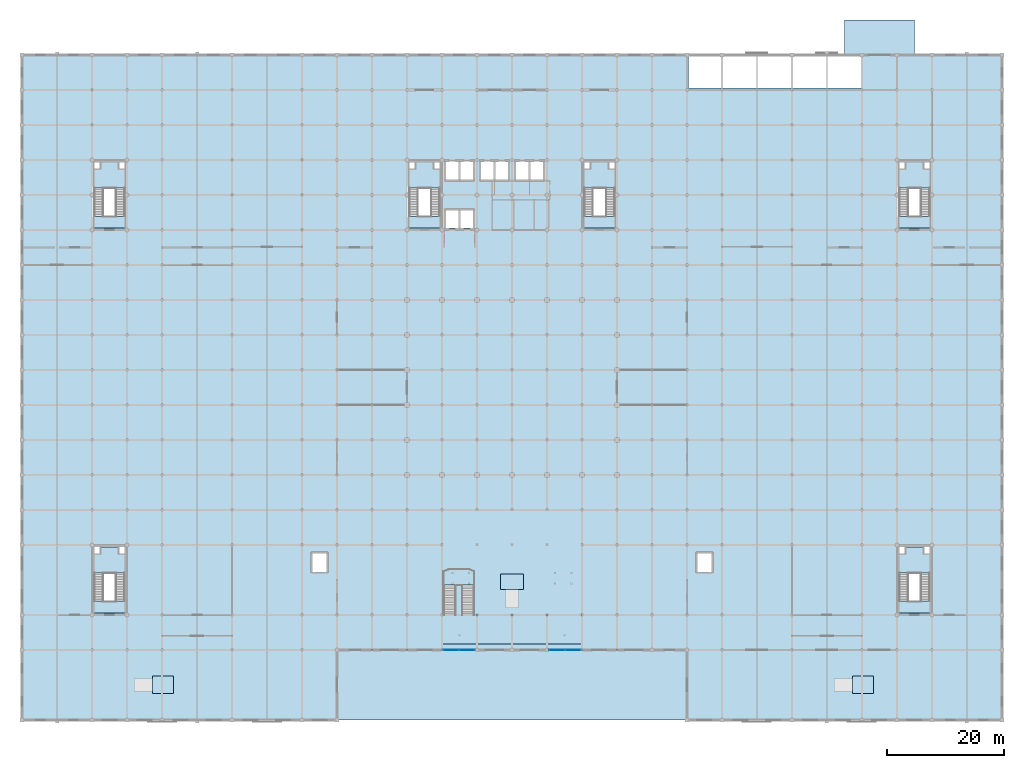
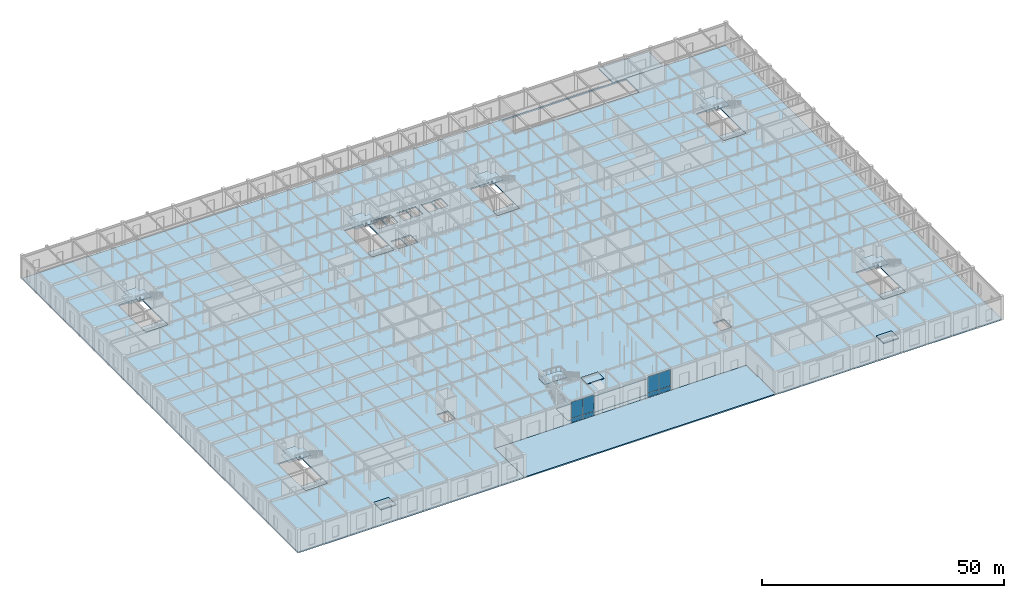
# One storey, part 39 of 51: 20 slabs, 8 plates, 9 elements without a shape of their own.
"""IFC4 building model written with IfcOpenShell, lengths in metres."""

import ifcopenshell
import ifcopenshell.guid

model = None  # the IFC model being written
_history = None  # IfcOwnerHistory: only IFC2X3 demands one
_inside = {}  # id of a spatial element -> (the spatial element, [elements in it])
_under = {}  # id of a project, library or spatial element -> (it, [spatial elements below it])
_declared = {}  # id of a project -> (the project, [libraries it declares])
_typed = {}  # id of a type object -> (the type object, [elements of that type])
_made_of = {}  # id of a material, layer set ... -> (it, [elements and type objects made of it])


def new_model(schema):
    """Start an empty IFC model of exactly this schema.

    Asked for "IFC4X3", IfcOpenShell would pick the latest addendum, in which some entities
    have other attributes; the version numbers below select the first issue.
    IFC2X3 requires an IfcOwnerHistory on every rooted entity: one is made here for all.
    """
    global model, _history
    if schema == "IFC4X3":
        model = ifcopenshell.file(schema_version=(4, 3, 0, 0))
    else:
        model = ifcopenshell.file(schema=schema)
    _inside.clear()
    _under.clear()
    _declared.clear()
    _typed.clear()
    _made_of.clear()
    _history = None
    if model.schema == "IFC2X3":
        org = make("IfcOrganization", Name="unknown")
        user = make(
            "IfcPersonAndOrganization",
            ThePerson=make("IfcPerson", FamilyName="unknown"),
            TheOrganization=org,
        )
        app = make(
            "IfcApplication",
            ApplicationDeveloper=org,
            Version="unknown",
            ApplicationFullName="unknown",
            ApplicationIdentifier="unknown",
        )
        _history = make(
            "IfcOwnerHistory",
            OwningUser=user,
            OwningApplication=app,
            ChangeAction="ADDED",
            CreationDate=0,
        )
    return model


def make(cls, **values):
    """One entity of the class cls with the attributes given. An attribute that is None is left unset."""
    return model.create_entity(
        cls, **{name: value for name, value in values.items() if value is not None}
    )


def rooted(cls, **values):
    """An entity with a GlobalId (a new one), such as an element, a storey or a relation."""
    return make(cls, GlobalId=ifcopenshell.guid.new(), OwnerHistory=_history, **values)


def si_unit(unit_type, name, prefix=None):
    """IfcSIUnit, for example si_unit("LENGTHUNIT", "METRE", prefix="MILLI")."""
    return make("IfcSIUnit", UnitType=unit_type, Prefix=prefix, Name=name)


def assignment(units):
    """IfcUnitAssignment: the units of a project."""
    return None if units is None else make("IfcUnitAssignment", Units=units)


def point(xyz):
    """IfcCartesianPoint."""
    return None if xyz is None else make("IfcCartesianPoint", Coordinates=xyz)


def direction(xyz):
    """IfcDirection."""
    return None if xyz is None else make("IfcDirection", DirectionRatios=xyz)


def frame(location, z_axis=None, x_axis=None):
    """IfcAxis2Placement3D, a coordinate frame: its origin and axes. An axis left out is left unset."""
    return make(
        "IfcAxis2Placement3D",
        Location=point(location),
        Axis=direction(z_axis),
        RefDirection=direction(x_axis),
    )


def frame_2d(location, x_axis=None):
    """IfcAxis2Placement2D, a coordinate frame in the plane: its origin and x axis."""
    return make(
        "IfcAxis2Placement2D", Location=point(location), RefDirection=direction(x_axis)
    )


def origin():
    """The frame at (0, 0, 0) with its axes left unset."""
    return frame((0.0, 0.0, 0.0))


def origin_2d():
    """The frame at (0, 0) in the plane with its x axis left unset."""
    return frame_2d((0.0, 0.0))


def place(relative_to, where):
    """IfcLocalPlacement: puts the frame where relative to a parent placement (None: the world)."""
    return make(
        "IfcLocalPlacement", PlacementRelTo=relative_to, RelativePlacement=where
    )


def context(
    kind, dimensions, precision=None, world=None, true_north=None, identifier=None
):
    """IfcGeometricRepresentationContext, for example the 3D "Model" context."""
    return make(
        "IfcGeometricRepresentationContext",
        ContextIdentifier=identifier,
        ContextType=kind,
        CoordinateSpaceDimension=dimensions,
        Precision=precision,
        WorldCoordinateSystem=world,
        TrueNorth=true_north,
    )


def subcontext(parent, identifier, kind, view, scale=None):
    """IfcGeometricRepresentationSubContext, for example "Body" below "Model"."""
    return make(
        "IfcGeometricRepresentationSubContext",
        ContextIdentifier=identifier,
        ContextType=kind,
        ParentContext=parent,
        TargetScale=scale,
        TargetView=view,
    )


def project(units=None, contexts=None):
    """IfcProject with its units and contexts."""
    return rooted(
        "IfcProject",
        Name="project",
        RepresentationContexts=contexts,
        UnitsInContext=assignment(units),
    )


def spatial(cls, under=None, at=None, **own):
    """A site, building, storey or space (cls), placed at a placement, below another one or the project."""
    s = rooted(cls, ObjectPlacement=at, **own)
    if under is not None:
        _under.setdefault(under.id(), (under, []))[1].append(s)
    return s


def polyline(points):
    """IfcPolyline through the points."""
    return make("IfcPolyline", Points=[point(p) for p in points])


def profile(cls, at=None, kind="AREA", **sizes):
    """A parametric profile (cls). Its sizes go by their IFC names, for example OverallWidth=200.0."""
    return make(cls, ProfileType=kind, Position=at, **sizes)


def rectangle(**sizes):
    """IfcRectangleProfileDef."""
    return profile("IfcRectangleProfileDef", **sizes)


def outline(outer, holes=None, kind="AREA"):
    """IfcArbitraryClosedProfileDef: a profile drawn as a closed curve; with holes, ...WithVoids."""
    if holes is None:
        return make("IfcArbitraryClosedProfileDef", ProfileType=kind, OuterCurve=outer)
    return make(
        "IfcArbitraryProfileDefWithVoids",
        ProfileType=kind,
        OuterCurve=outer,
        InnerCurves=holes,
    )


def extrude(swept, where, along, depth):
    """IfcExtrudedAreaSolid: the profile swept, set in the frame where, extruded along a direction by depth."""
    return make(
        "IfcExtrudedAreaSolid",
        SweptArea=swept,
        Position=where,
        ExtrudedDirection=direction(along),
        Depth=depth,
    )


def shape(context_of_items, identifier, shape_type, items):
    """IfcShapeRepresentation: the items that make up one representation, for example the "Body"."""
    return make(
        "IfcShapeRepresentation",
        ContextOfItems=context_of_items,
        RepresentationIdentifier=identifier,
        RepresentationType=shape_type,
        Items=items,
    )


def material(Name=None, Category=None):
    """IfcMaterial."""
    return make("IfcMaterial", Name=Name, Category=Category)


def layer(
    of_material, thickness, ventilated=None, Name=None, Category=None, Priority=None
):
    """IfcMaterialLayer: one layer of a wall or slab, of a material (None: an air gap)."""
    return make(
        "IfcMaterialLayer",
        Material=of_material,
        LayerThickness=thickness,
        IsVentilated=ventilated,
        Name=Name,
        Category=Category,
        Priority=Priority,
    )


def layer_set(layers, Name=None):
    """IfcMaterialLayerSet."""
    return make("IfcMaterialLayerSet", MaterialLayers=layers, LayerSetName=Name)


def made_of(thing, what):
    """Note that an element or type object is made of a material, layer set ...; save() writes the relation."""
    if what is not None:
        _made_of.setdefault(what.id(), (what, []))[1].append(thing)
    return thing


def type_object(cls, material=None, **own):
    """A type object (cls), such as IfcWallType, which elements share."""
    return made_of(rooted(cls, **own), material)


def element(
    cls,
    number,
    at=None,
    inside=None,
    cuts=None,
    type_object=None,
    material=None,
    context=None,
    identifier="Body",
    shape_type=None,
    held_by="IfcProductDefinitionShape",
    body=None,
    shapes=None,
    **own,
):
    """One element of the class cls, such as IfcWall. Its Tag is "e" and its number.

    at: its placement. inside: the storey or other place that contains it. cuts: it is an
    opening in that element (IfcRelVoidsElement). A single representation is given by context,
    identifier, shape_type and body (its items); several are given by shapes. held_by: the class
    of the entity that holds the representations. save() writes the other relations.
    """
    e = rooted(cls, Tag="e%d" % number, ObjectPlacement=at, **own)
    if body is not None:
        shapes = [shape(context, identifier, shape_type, body)]
    if shapes is not None:
        e.Representation = make(held_by, Representations=shapes)
    if inside is not None:
        _inside.setdefault(inside.id(), (inside, []))[1].append(e)
    if cuts is not None:
        rooted(
            "IfcRelVoidsElement", RelatingBuildingElement=cuts, RelatedOpeningElement=e
        )
    if type_object is not None:
        _typed.setdefault(type_object.id(), (type_object, []))[1].append(e)
    return made_of(e, material)


def aggregate(whole, parts):
    """IfcRelAggregates: a whole, such as a stair, and the parts it consists of."""
    return rooted("IfcRelAggregates", RelatingObject=whole, RelatedObjects=parts)


def save(model, path):
    """Write the relations noted so far, then the file.

    IfcRelAggregates (storeys below a building ...), IfcRelContainedInSpatialStructure (elements
    in a storey), IfcRelDefinesByType, IfcRelAssociatesMaterial and IfcRelDeclares: one each for
    every whole, place, type object, material and project.
    """
    for whole, parts in _under.values():
        aggregate(whole, parts)
    for where, things in _inside.values():
        rooted(
            "IfcRelContainedInSpatialStructure",
            RelatedElements=things,
            RelatingStructure=where,
        )
    for kind, things in _typed.values():
        rooted("IfcRelDefinesByType", RelatedObjects=things, RelatingType=kind)
    for what, things in _made_of.values():
        rooted("IfcRelAssociatesMaterial", RelatedObjects=things, RelatingMaterial=what)
    for by, libraries in _declared.values():
        rooted("IfcRelDeclares", RelatingContext=by, RelatedDefinitions=libraries)
    model.write(path)


model = new_model("IFC4")

# Units and contexts
model_context = context("Model", 3, precision=1e-05, world=origin(), true_north=direction((0.0, 1.0)))
body_context = subcontext(model_context, "Body", "Model", "MODEL_VIEW")
ifc_project = project(units=[si_unit("LENGTHUNIT", "METRE"), si_unit("AREAUNIT", "SQUARE_METRE"), si_unit("VOLUMEUNIT", "CUBIC_METRE"), si_unit("PLANEANGLEUNIT", "RADIAN"), si_unit("MASSUNIT", "GRAM", prefix="KILO")], contexts=[model_context])

# Site, building, storey
site_placement = place(None, origin())
site = spatial("IfcSite", under=ifc_project, at=site_placement, CompositionType="ELEMENT")
building_placement = place(site_placement, origin())
building = spatial("IfcBuilding", under=site, at=building_placement, Name="Zlatovratsky Civic Hall", CompositionType="ELEMENT")
storey_placement = place(building_placement, origin())
storey = spatial("IfcBuildingStorey", under=building, at=storey_placement, Name="L01", CompositionType="ELEMENT", Elevation=0.0)

# Curtain wall, plates
ifc_material_1 = material(Name="Anodised bronze aluminium", Category="aluminium")
ifc_layer_1 = layer(ifc_material_1, 0.159912109375)
ifc_layer_set_1 = layer_set([ifc_layer_1], Name="Anodised bronze aluminium")
curtain_wall_type = type_object("IfcCurtainWallType", Name="CurtainWall_Bronze_5510x5310_01", PredefinedType="NOTDEFINED", material=ifc_layer_set_1)
curtain_wall_1_placement = place(storey_placement, origin())
curtain_wall_1 = element("IfcCurtainWall", 1, at=curtain_wall_1_placement, inside=storey, type_object=curtain_wall_type, Name="CW-001", PredefinedType="NOTDEFINED")
ifc_material_2 = material(Name="Solar-control triple glazing", Category="glass")
ifc_layer_2 = layer(ifc_material_2, 0.028076171875)
ifc_layer_set_2 = layer_set([ifc_layer_2], Name="Solar-control triple glazing")
plate_type = type_object("IfcPlateType", Name="Panel_TowerTripleGlazing_28", PredefinedType="CURTAIN_PANEL", material=ifc_layer_set_2)
plate_1_placement = place(storey_placement, frame((73.52978515625, 12.0, 0.06005859375), z_axis=(0.0, 0.0, 1.0), x_axis=(1.0, 0.0, 0.0)))
plate_1 = element("IfcPlate", 2, at=plate_1_placement, type_object=plate_type, Name="CW-01 panel 1.1", PredefinedType="CURTAIN_PANEL", context=body_context, shape_type="SweptSolid", body=[
    extrude(rectangle(XDim=2.666748046875, YDim=0.028076171875, at=origin_2d()), origin(), (0.0, 0.0, 1.0), 1.010009765625),
])
plate_2_placement = place(storey_placement, frame((73.52978515625, 12.0, 1.1298828125), z_axis=(0.0, 0.0, 1.0), x_axis=(1.0, 0.0, 0.0)))
plate_2 = element("IfcPlate", 3, at=plate_2_placement, type_object=plate_type, Name="CW-01 panel 1.2", PredefinedType="CURTAIN_PANEL", context=body_context, shape_type="SweptSolid", body=[
    extrude(rectangle(XDim=2.666748046875, YDim=0.028076171875, at=origin_2d()), origin(), (0.0, 0.0, 1.0), 4.1201171875),
])
plate_3_placement = place(storey_placement, frame((76.256591796875, 12.0, 0.06005859375), z_axis=(0.0, 0.0, 1.0), x_axis=(1.0, 0.0, 0.0)))
plate_3 = element("IfcPlate", 4, at=plate_3_placement, type_object=plate_type, Name="CW-01 panel 2.1", PredefinedType="CURTAIN_PANEL", context=body_context, shape_type="SweptSolid", body=[
    extrude(rectangle(XDim=2.666748046875, YDim=0.028076171875, at=origin_2d()), origin(), (0.0, 0.0, 1.0), 1.010009765625),
])
plate_4_placement = place(storey_placement, frame((76.256591796875, 12.0, 1.1298828125), z_axis=(0.0, 0.0, 1.0), x_axis=(1.0, 0.0, 0.0)))
plate_4 = element("IfcPlate", 5, at=plate_4_placement, type_object=plate_type, Name="CW-01 panel 2.2", PredefinedType="CURTAIN_PANEL", context=body_context, shape_type="SweptSolid", body=[
    extrude(rectangle(XDim=2.666748046875, YDim=0.028076171875, at=origin_2d()), origin(), (0.0, 0.0, 1.0), 4.1201171875),
])
aggregate(curtain_wall_1, [plate_1, plate_2, plate_3, plate_4])

curtain_wall_2_placement = place(storey_placement, origin())
curtain_wall_2 = element("IfcCurtainWall", 6, at=curtain_wall_2_placement, inside=storey, type_object=curtain_wall_type, Name="CW-002", PredefinedType="NOTDEFINED")
plate_5_placement = place(storey_placement, frame((91.743408203125, 12.0, 0.06005859375), z_axis=(0.0, 0.0, 1.0), x_axis=(1.0, 0.0, 0.0)))
plate_5 = element("IfcPlate", 7, at=plate_5_placement, type_object=plate_type, Name="CW-01 panel 1.1", PredefinedType="CURTAIN_PANEL", context=body_context, shape_type="SweptSolid", body=[
    extrude(rectangle(XDim=2.666748046875, YDim=0.028076171875, at=origin_2d()), origin(), (0.0, 0.0, 1.0), 1.010009765625),
])
plate_6_placement = place(storey_placement, frame((91.743408203125, 12.0, 1.1298828125), z_axis=(0.0, 0.0, 1.0), x_axis=(1.0, 0.0, 0.0)))
plate_6 = element("IfcPlate", 8, at=plate_6_placement, type_object=plate_type, Name="CW-01 panel 1.2", PredefinedType="CURTAIN_PANEL", context=body_context, shape_type="SweptSolid", body=[
    extrude(rectangle(XDim=2.666748046875, YDim=0.028076171875, at=origin_2d()), origin(), (0.0, 0.0, 1.0), 4.1201171875),
])
plate_7_placement = place(storey_placement, frame((94.47021484375, 12.0, 0.06005859375), z_axis=(0.0, 0.0, 1.0), x_axis=(1.0, 0.0, 0.0)))
plate_7 = element("IfcPlate", 9, at=plate_7_placement, type_object=plate_type, Name="CW-01 panel 2.1", PredefinedType="CURTAIN_PANEL", context=body_context, shape_type="SweptSolid", body=[
    extrude(rectangle(XDim=2.666748046875, YDim=0.028076171875, at=origin_2d()), origin(), (0.0, 0.0, 1.0), 1.010009765625),
])
plate_8_placement = place(storey_placement, frame((94.47021484375, 12.0, 1.1298828125), z_axis=(0.0, 0.0, 1.0), x_axis=(1.0, 0.0, 0.0)))
plate_8 = element("IfcPlate", 10, at=plate_8_placement, type_object=plate_type, Name="CW-01 panel 2.2", PredefinedType="CURTAIN_PANEL", context=body_context, shape_type="SweptSolid", body=[
    extrude(rectangle(XDim=2.666748046875, YDim=0.028076171875, at=origin_2d()), origin(), (0.0, 0.0, 1.0), 4.1201171875),
])
aggregate(curtain_wall_2, [plate_5, plate_6, plate_7, plate_8])

# Slabs
ifc_material_3 = material(Name="Concrete C30/37 (B35)", Category="concrete")
ifc_layer_3 = layer(ifc_material_3, 0.280029296875)
ifc_layer_set_3 = layer_set([ifc_layer_3], Name="Concrete C30/37 (B35)")
slab_type_1 = type_object("IfcSlabType", Name="Slab_ExteriorDrivewayApron_280", PredefinedType="BASESLAB", material=ifc_layer_set_3)
slab_1_placement = place(storey_placement, frame((0.0, 0.0, -0.280029296875)))
element("IfcSlab", 11, at=slab_1_placement, inside=storey, type_object=slab_type_1, Name="SL-APRON-01", PredefinedType="BASESLAB", context=body_context, shape_type="SweptSolid", body=[
    extrude(outline(polyline([(141.0, 114.0), (153.0, 114.0), (153.0, 120.0), (141.0, 120.0), (141.0, 114.0)])), origin(), (0.0, 0.0, 1.0), 0.280029296875),
])
ifc_layer_4 = layer(ifc_material_3, 0.320068359375)
ifc_layer_set_4 = layer_set([ifc_layer_4], Name="Concrete C30/37 (B35)")
slab_type_2 = type_object("IfcSlabType", Name="Slab_PlazaGroundDeck_320", PredefinedType="FLOOR", material=ifc_layer_set_4)
slab_2_placement = place(storey_placement, frame((0.0, 0.0, -0.320068359375)))
element("IfcSlab", 12, at=slab_2_placement, inside=storey, type_object=slab_type_2, Name="SL-014", PredefinedType="FLOOR", context=body_context, shape_type="SweptSolid", body=[
    extrude(outline(polyline([(0.0, 0.0), (54.0, 0.0), (54.0, 12.0), (114.0, 12.0), (114.0, 0.0), (168.0, 0.0), (168.0, 114.0), (0.0, 114.0), (0.0, 0.0)]), holes=[polyline([(66.35009765625, 84.35009765625), (71.64990234375, 84.35009765625), (71.64990234375, 95.64990234375), (66.35009765625, 95.64990234375), (66.35009765625, 84.35009765625)]), polyline([(96.35009765625, 84.35009765625), (101.64990234375, 84.35009765625), (101.64990234375, 95.64990234375), (96.35009765625, 95.64990234375), (96.35009765625, 84.35009765625)]), polyline([(12.35009765625, 18.35009765625), (17.64990234375, 18.35009765625), (17.64990234375, 29.64990234375), (12.35009765625, 29.64990234375), (12.35009765625, 18.35009765625)]), polyline([(150.35009765625, 18.35009765625), (155.64990234375, 18.35009765625), (155.64990234375, 29.64990234375), (150.35009765625, 29.64990234375), (150.35009765625, 18.35009765625)]), polyline([(12.35009765625, 84.35009765625), (17.64990234375, 84.35009765625), (17.64990234375, 95.64990234375), (12.35009765625, 95.64990234375), (12.35009765625, 84.35009765625)]), polyline([(150.35009765625, 84.35009765625), (155.64990234375, 84.35009765625), (155.64990234375, 95.64990234375), (150.35009765625, 95.64990234375), (150.35009765625, 84.35009765625)]), polyline([(72.64990234375, 84.300048828125), (74.85009765625, 84.300048828125), (74.85009765625, 87.39990234375), (72.64990234375, 87.39990234375), (72.64990234375, 84.300048828125)]), polyline([(75.14990234375, 84.300048828125), (77.35009765625, 84.300048828125), (77.35009765625, 87.39990234375), (75.14990234375, 87.39990234375), (75.14990234375, 84.300048828125)]), polyline([(72.64990234375, 92.60009765625), (74.85009765625, 92.60009765625), (74.85009765625, 95.699951171875), (72.64990234375, 95.699951171875), (72.64990234375, 92.60009765625)]), polyline([(75.14990234375, 92.60009765625), (77.35009765625, 92.60009765625), (77.35009765625, 95.699951171875), (75.14990234375, 95.699951171875), (75.14990234375, 92.60009765625)]), polyline([(78.64990234375, 92.60009765625), (80.85009765625, 92.60009765625), (80.85009765625, 95.699951171875), (78.64990234375, 95.699951171875), (78.64990234375, 92.60009765625)]), polyline([(81.14990234375, 92.60009765625), (83.35009765625, 92.60009765625), (83.35009765625, 95.699951171875), (81.14990234375, 95.699951171875), (81.14990234375, 92.60009765625)]), polyline([(84.64990234375, 92.60009765625), (86.85009765625, 92.60009765625), (86.85009765625, 95.699951171875), (84.64990234375, 95.699951171875), (84.64990234375, 92.60009765625)]), polyline([(87.14990234375, 92.60009765625), (89.35009765625, 92.60009765625), (89.35009765625, 95.699951171875), (87.14990234375, 95.699951171875), (87.14990234375, 92.60009765625)]), polyline([(49.75, 25.39990234375), (52.25, 25.39990234375), (52.25, 28.60009765625), (49.75, 28.60009765625), (49.75, 25.39990234375)]), polyline([(115.75, 25.39990234375), (118.25, 25.39990234375), (118.25, 28.60009765625), (115.75, 28.60009765625), (115.75, 25.39990234375)]), polyline([(72.0, 13.0), (96.0, 13.0), (96.0, 18.0), (72.0, 18.0), (72.0, 13.0)]), polyline([(114.300048828125, 108.300048828125), (144.0, 108.300048828125), (144.0, 113.699951171875), (114.300048828125, 113.699951171875), (114.300048828125, 108.300048828125)])]), origin(), (0.0, 0.0, 1.0), 0.320068359375),
])
slab_3_placement = place(storey_placement, frame((0.0, 0.0, -0.320068359375)))
element("IfcSlab", 13, at=slab_3_placement, inside=storey, type_object=slab_type_2, Name="SL-015", PredefinedType="FLOOR", context=body_context, shape_type="SweptSolid", body=[
    extrude(outline(polyline([(66.35009765625, 84.35009765625), (71.64990234375, 84.35009765625), (71.64990234375, 86.35009765625), (66.35009765625, 86.35009765625), (66.35009765625, 84.35009765625)])), origin(), (0.0, 0.0, 1.0), 0.320068359375),
])
slab_4_placement = place(storey_placement, frame((0.0, 0.0, -0.320068359375)))
element("IfcSlab", 14, at=slab_4_placement, inside=storey, type_object=slab_type_2, Name="SL-016", PredefinedType="FLOOR", context=body_context, shape_type="SweptSolid", body=[
    extrude(outline(polyline([(96.35009765625, 84.35009765625), (101.64990234375, 84.35009765625), (101.64990234375, 86.35009765625), (96.35009765625, 86.35009765625), (96.35009765625, 84.35009765625)])), origin(), (0.0, 0.0, 1.0), 0.320068359375),
])
slab_5_placement = place(storey_placement, frame((0.0, 0.0, -0.320068359375)))
element("IfcSlab", 15, at=slab_5_placement, inside=storey, type_object=slab_type_2, Name="SL-017", PredefinedType="FLOOR", context=body_context, shape_type="SweptSolid", body=[
    extrude(outline(polyline([(12.35009765625, 18.35009765625), (17.64990234375, 18.35009765625), (17.64990234375, 20.35009765625), (12.35009765625, 20.35009765625), (12.35009765625, 18.35009765625)])), origin(), (0.0, 0.0, 1.0), 0.320068359375),
])
slab_6_placement = place(storey_placement, frame((0.0, 0.0, -0.320068359375)))
element("IfcSlab", 16, at=slab_6_placement, inside=storey, type_object=slab_type_2, Name="SL-018", PredefinedType="FLOOR", context=body_context, shape_type="SweptSolid", body=[
    extrude(outline(polyline([(150.35009765625, 18.35009765625), (155.64990234375, 18.35009765625), (155.64990234375, 20.35009765625), (150.35009765625, 20.35009765625), (150.35009765625, 18.35009765625)])), origin(), (0.0, 0.0, 1.0), 0.320068359375),
])
slab_7_placement = place(storey_placement, frame((0.0, 0.0, -0.320068359375)))
element("IfcSlab", 17, at=slab_7_placement, inside=storey, type_object=slab_type_2, Name="SL-019", PredefinedType="FLOOR", context=body_context, shape_type="SweptSolid", body=[
    extrude(outline(polyline([(12.35009765625, 84.35009765625), (17.64990234375, 84.35009765625), (17.64990234375, 86.35009765625), (12.35009765625, 86.35009765625), (12.35009765625, 84.35009765625)])), origin(), (0.0, 0.0, 1.0), 0.320068359375),
])
slab_8_placement = place(storey_placement, frame((0.0, 0.0, -0.320068359375)))
element("IfcSlab", 18, at=slab_8_placement, inside=storey, type_object=slab_type_2, Name="SL-020", PredefinedType="FLOOR", context=body_context, shape_type="SweptSolid", body=[
    extrude(outline(polyline([(150.35009765625, 84.35009765625), (155.64990234375, 84.35009765625), (155.64990234375, 86.35009765625), (150.35009765625, 86.35009765625), (150.35009765625, 84.35009765625)])), origin(), (0.0, 0.0, 1.0), 0.320068359375),
])
slab_9_placement = place(storey_placement, frame((0.0, 0.0, -0.320068359375)))
element("IfcSlab", 19, at=slab_9_placement, inside=storey, type_object=slab_type_2, Name="SL-021", PredefinedType="FLOOR", context=body_context, shape_type="SweptSolid", body=[
    extrude(outline(polyline([(72.0, 13.0), (96.0, 13.0), (96.0, 18.0), (72.0, 18.0), (72.0, 13.0)])), origin(), (0.0, 0.0, 1.0), 0.320068359375),
])
slab_10_placement = place(storey_placement, frame((0.0, 0.0, -0.320068359375)))
element("IfcSlab", 20, at=slab_10_placement, inside=storey, type_object=slab_type_2, Name="SL-PLAZA-01", PredefinedType="FLOOR", context=body_context, shape_type="SweptSolid", body=[
    extrude(outline(polyline([(54.0, 0.0), (114.0, 0.0), (114.0, 12.0), (54.0, 12.0), (54.0, 0.0)])), origin(), (0.0, 0.0, 1.0), 0.320068359375),
])

# Stair, slab
stair_type_1 = type_object("IfcStairType", Name="Stair_HALF_36R_1550W_02", PredefinedType="HALF_TURN_STAIR", material=ifc_material_3)
stair_1_placement = place(storey_placement, origin())
stair_1 = element("IfcStair", 21, at=stair_1_placement, inside=storey, type_object=stair_type_1, Name="ST-002", PredefinedType="HALF_TURN_STAIR")
ifc_layer_5 = layer(ifc_material_3, 0.179931640625)
ifc_layer_set_5 = layer_set([ifc_layer_5], Name="Concrete C30/37 (B35)")
slab_type_3 = type_object("IfcSlabType", Name="Slab_StairLanding_180", PredefinedType="LANDING", material=ifc_layer_set_5)
slab_11_placement = place(storey_placement, frame((0.0, 0.0, 2.820068359375)))
slab_11 = element("IfcSlab", 22, at=slab_11_placement, type_object=slab_type_3, Name="SL-LD-02", PredefinedType="LANDING", context=body_context, shape_type="SweptSolid", body=[
    extrude(outline(polyline([(66.35009765625, 91.195068359375), (71.64990234375, 91.195068359375), (71.64990234375, 94.39990234375), (70.550048828125, 94.39990234375), (70.550048828125, 95.64990234375), (67.449951171875, 95.64990234375), (67.449951171875, 94.39990234375), (66.35009765625, 94.39990234375), (66.35009765625, 91.195068359375)])), origin(), (0.0, 0.0, 1.0), 0.179931640625),
])
aggregate(stair_1, [slab_11])

stair_2_placement = place(storey_placement, origin())
stair_2 = element("IfcStair", 23, at=stair_2_placement, inside=storey, type_object=stair_type_1, Name="ST-021", PredefinedType="HALF_TURN_STAIR")
slab_12_placement = place(storey_placement, frame((0.0, 0.0, 2.820068359375)))
slab_12 = element("IfcSlab", 24, at=slab_12_placement, type_object=slab_type_3, Name="SL-LD-21", PredefinedType="LANDING", context=body_context, shape_type="SweptSolid", body=[
    extrude(outline(polyline([(96.35009765625, 91.195068359375), (101.64990234375, 91.195068359375), (101.64990234375, 94.39990234375), (100.550048828125, 94.39990234375), (100.550048828125, 95.64990234375), (97.449951171875, 95.64990234375), (97.449951171875, 94.39990234375), (96.35009765625, 94.39990234375), (96.35009765625, 91.195068359375)])), origin(), (0.0, 0.0, 1.0), 0.179931640625),
])
aggregate(stair_2, [slab_12])

stair_type_2 = type_object("IfcStairType", Name="Stair_HALF_36R_1600W_07", PredefinedType="HALF_TURN_STAIR", material=ifc_material_3)
stair_3_placement = place(storey_placement, origin())
stair_3 = element("IfcStair", 25, at=stair_3_placement, inside=storey, type_object=stair_type_2, Name="ST-039", PredefinedType="HALF_TURN_STAIR")
slab_13_placement = place(storey_placement, frame((0.0, 0.0, 2.820068359375)))
slab_13 = element("IfcSlab", 26, at=slab_13_placement, type_object=slab_type_3, Name="SL-LD-39", PredefinedType="LANDING", context=body_context, shape_type="SweptSolid", body=[
    extrude(outline(polyline([(12.35009765625, 25.195068359375), (17.64990234375, 25.195068359375), (17.64990234375, 28.39990234375), (16.550048828125, 28.39990234375), (16.550048828125, 29.64990234375), (13.449951171875, 29.64990234375), (13.449951171875, 28.39990234375), (12.35009765625, 28.39990234375), (12.35009765625, 25.195068359375)])), origin(), (0.0, 0.0, 1.0), 0.179931640625),
])
aggregate(stair_3, [slab_13])

stair_4_placement = place(storey_placement, origin())
stair_4 = element("IfcStair", 27, at=stair_4_placement, inside=storey, type_object=stair_type_2, Name="ST-043", PredefinedType="HALF_TURN_STAIR")
slab_14_placement = place(storey_placement, frame((0.0, 0.0, 2.820068359375)))
slab_14 = element("IfcSlab", 28, at=slab_14_placement, type_object=slab_type_3, Name="SL-LD-43", PredefinedType="LANDING", context=body_context, shape_type="SweptSolid", body=[
    extrude(outline(polyline([(150.35009765625, 25.195068359375), (155.64990234375, 25.195068359375), (155.64990234375, 28.39990234375), (154.550048828125, 28.39990234375), (154.550048828125, 29.64990234375), (151.449951171875, 29.64990234375), (151.449951171875, 28.39990234375), (150.35009765625, 28.39990234375), (150.35009765625, 25.195068359375)])), origin(), (0.0, 0.0, 1.0), 0.179931640625),
])
aggregate(stair_4, [slab_14])

stair_5_placement = place(storey_placement, origin())
stair_5 = element("IfcStair", 29, at=stair_5_placement, inside=storey, type_object=stair_type_2, Name="ST-047", PredefinedType="HALF_TURN_STAIR")
slab_15_placement = place(storey_placement, frame((0.0, 0.0, 2.820068359375)))
slab_15 = element("IfcSlab", 30, at=slab_15_placement, type_object=slab_type_3, Name="SL-LD-47", PredefinedType="LANDING", context=body_context, shape_type="SweptSolid", body=[
    extrude(outline(polyline([(12.35009765625, 91.195068359375), (17.64990234375, 91.195068359375), (17.64990234375, 94.39990234375), (16.550048828125, 94.39990234375), (16.550048828125, 95.64990234375), (13.449951171875, 95.64990234375), (13.449951171875, 94.39990234375), (12.35009765625, 94.39990234375), (12.35009765625, 91.195068359375)])), origin(), (0.0, 0.0, 1.0), 0.179931640625),
])
aggregate(stair_5, [slab_15])

stair_6_placement = place(storey_placement, origin())
stair_6 = element("IfcStair", 31, at=stair_6_placement, inside=storey, type_object=stair_type_2, Name="ST-051", PredefinedType="HALF_TURN_STAIR")
slab_16_placement = place(storey_placement, frame((0.0, 0.0, 2.820068359375)))
slab_16 = element("IfcSlab", 32, at=slab_16_placement, type_object=slab_type_3, Name="SL-LD-51", PredefinedType="LANDING", context=body_context, shape_type="SweptSolid", body=[
    extrude(outline(polyline([(150.35009765625, 91.195068359375), (155.64990234375, 91.195068359375), (155.64990234375, 94.39990234375), (154.550048828125, 94.39990234375), (154.550048828125, 95.64990234375), (151.449951171875, 95.64990234375), (151.449951171875, 94.39990234375), (150.35009765625, 94.39990234375), (150.35009765625, 91.195068359375)])), origin(), (0.0, 0.0, 1.0), 0.179931640625),
])
aggregate(stair_6, [slab_16])

stair_type_3 = type_object("IfcStairType", Name="Stair_TWO__36R_2200W_09", PredefinedType="TWO_QUARTER_TURN_STAIR", material=ifc_material_3)
stair_7_placement = place(storey_placement, origin())
stair_7 = element("IfcStair", 33, at=stair_7_placement, inside=storey, type_object=stair_type_3, Name="ST-054", PredefinedType="TWO_QUARTER_TURN_STAIR")
slab_17_placement = place(storey_placement, frame((0.0, 0.0, 2.800048828125)))
slab_17 = element("IfcSlab", 34, at=slab_17_placement, type_object=slab_type_3, Name="SL-IMP-L01", PredefinedType="LANDING", context=body_context, shape_type="SweptSolid", body=[
    extrude(outline(polyline([(72.199951171875, 23.10009765625), (77.60009765625, 23.10009765625), (77.60009765625, 25.5), (76.60009765625, 25.89990234375), (73.199951171875, 25.89990234375), (72.199951171875, 25.5), (72.199951171875, 23.10009765625)])), origin(), (0.0, 0.0, 1.0), 0.199951171875),
])
aggregate(stair_7, [slab_17])

# Slabs
ifc_layer_6 = layer(ifc_material_3, 0.159912109375)
ifc_layer_set_6 = layer_set([ifc_layer_6], Name="Concrete C30/37 (B35)")
slab_type_4 = type_object("IfcSlabType", Name="Slab_TowerCompositeFloor_160", PredefinedType="FLOOR", material=ifc_layer_set_6)
slab_18_placement = place(storey_placement, origin())
element("IfcSlab", 35, at=slab_18_placement, inside=storey, type_object=slab_type_4, Name="SL-RAMP-DAIS-01", PredefinedType="FLOOR", context=body_context, shape_type="SweptSolid", body=[
    extrude(outline(polyline([(82.0, 22.39990234375), (86.0, 22.39990234375), (86.0, 25.0), (82.0, 25.0), (82.0, 22.39990234375)])), origin(), (0.0, 0.0, 1.0), 0.159912109375),
])
slab_19_placement = place(storey_placement, origin())
element("IfcSlab", 36, at=slab_19_placement, inside=storey, type_object=slab_type_4, Name="SL-RAMP-DAIS-02", PredefinedType="FLOOR", context=body_context, shape_type="SweptSolid", body=[
    extrude(outline(polyline([(22.39990234375, 4.5), (26.0, 4.5), (26.0, 7.5), (22.39990234375, 7.5), (22.39990234375, 4.5)])), origin(), (0.0, 0.0, 1.0), 0.159912109375),
])
slab_20_placement = place(storey_placement, origin())
element("IfcSlab", 37, at=slab_20_placement, inside=storey, type_object=slab_type_4, Name="SL-RAMP-DAIS-03", PredefinedType="FLOOR", context=body_context, shape_type="SweptSolid", body=[
    extrude(outline(polyline([(142.39990234375, 4.5), (146.0, 4.5), (146.0, 7.5), (142.39990234375, 7.5), (142.39990234375, 4.5)])), origin(), (0.0, 0.0, 1.0), 0.159912109375),
])

save(model, "model.ifc")
